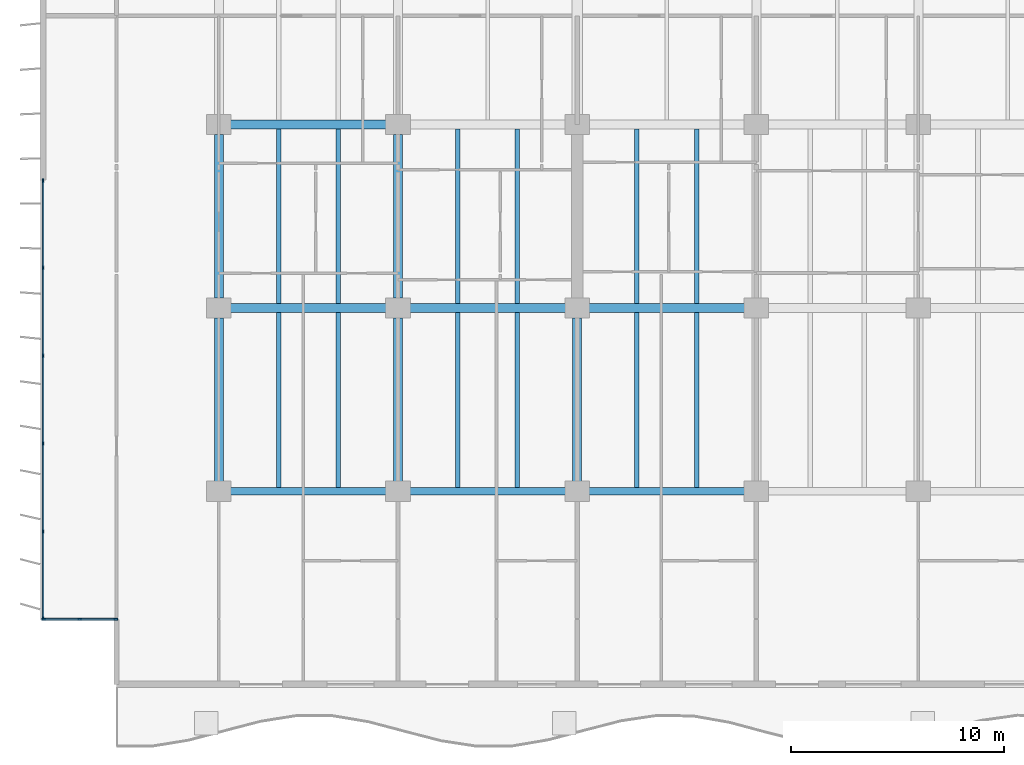
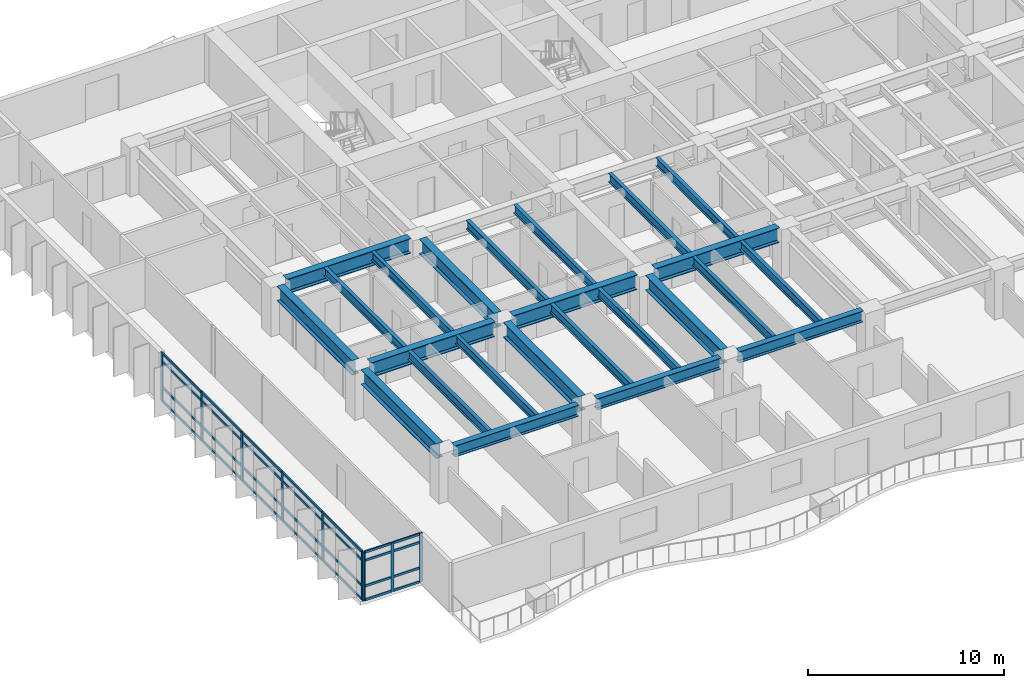
# One storey, part 2 of 18: 37 members, 24 beams, 2 elements without a shape of their own.
"""IFC4 building model written with IfcOpenShell, lengths in metres."""

from ifc_helpers import new_model, si_unit, direction, frame, origin, origin_2d, place, context, subcontext, project, spatial, rectangle, i_section, extrude, material, layer, layer_set, material_profile, profile_set, type_object, element, aggregate, save


model = new_model("IFC4")

# Units and contexts
model_context = context("Model", 3, precision=1e-05, world=origin(), true_north=direction((0.0, 1.0)))
body_context = subcontext(model_context, "Body", "Model", "MODEL_VIEW")
ifc_project = project(units=[si_unit("LENGTHUNIT", "METRE"), si_unit("AREAUNIT", "SQUARE_METRE"), si_unit("VOLUMEUNIT", "CUBIC_METRE"), si_unit("PLANEANGLEUNIT", "RADIAN"), si_unit("MASSUNIT", "GRAM", prefix="KILO")], contexts=[model_context])

# Site, building, storey
site_placement = place(None, origin())
site = spatial("IfcSite", under=ifc_project, at=site_placement, CompositionType="ELEMENT")
building_placement = place(site_placement, origin())
building = spatial("IfcBuilding", under=site, at=building_placement, Name="Caelmar Bay Residences", CompositionType="ELEMENT")
storey_placement = place(building_placement, frame((0.0, 0.0, 36.60009765625)))
storey = spatial("IfcBuildingStorey", under=building, at=storey_placement, Name="L08", CompositionType="ELEMENT", Elevation=36.60009765625)

# Beams
ifc_material_1 = material(Name="Steel ASTM A992 Grade 50", Category="steel")
ifc_material_profile_1 = material_profile(ifc_material_1, i_section(OverallWidth=0.422119140625, OverallDepth=0.925048828125, WebThickness=0.021240234375, FlangeThickness=0.03662109375, FilletRadius=0.020263671875, at=origin_2d()), Name="W36X262")
ifc_profile_set_1 = profile_set([ifc_material_profile_1], Name="Steel ASTM A992 Grade 50")
beam_type_1 = type_object("IfcBeamType", Name="BM-GRD-W36X262", PredefinedType="BEAM", material=ifc_profile_set_1)
beam_1_placement = place(storey_placement, frame((10.43994140625, 20.800048828125, 2.58740234375), z_axis=(1.0, 0.0, 0.0), x_axis=(0.0, 1.0, 0.0)))
element("IfcBeam", 1, at=beam_1_placement, inside=storey, type_object=beam_type_1, Name="L08 East-West Girder Y=20.80 (9.9-18.3)", PredefinedType="BEAM", context=body_context, shape_type="SweptSolid", body=[
    extrude(i_section(OverallWidth=0.422119140625, OverallDepth=0.925048828125, WebThickness=0.021240234375, FlangeThickness=0.03662109375, FilletRadius=0.020263671875, at=origin_2d()), origin(), (0.0, 0.0, 1.0), 7.320068359375),
])
beam_2_placement = place(storey_placement, frame((18.840087890625, 20.800048828125, 2.58740234375), z_axis=(1.0, 0.0, 0.0), x_axis=(0.0, 1.0, 0.0)))
element("IfcBeam", 2, at=beam_2_placement, inside=storey, type_object=beam_type_1, Name="L08 East-West Girder Y=20.80 (18.3-26.7)", PredefinedType="BEAM", context=body_context, shape_type="SweptSolid", body=[
    extrude(i_section(OverallWidth=0.422119140625, OverallDepth=0.925048828125, WebThickness=0.021240234375, FlangeThickness=0.03662109375, FilletRadius=0.020263671875, at=origin_2d()), origin(), (0.0, 0.0, 1.0), 7.31982421875),
])
for number, where, z_axis, x_axis, name in (
    (3, (27.239990234375, 20.800048828125, 2.58740234375), (1.0, 0.0, 0.0), (0.0, 1.0, 0.0), "L08 East-West Girder Y=20.80 (26.7-35.1)"),
    (4, (10.43994140625, 29.39990234375, 2.58740234375), (1.0, 0.0, 0.0), (0.0, 1.0, 0.0), "L08 East-West Girder Y=29.40 (9.9-18.3)"),
):
    element("IfcBeam", number, at=place(storey_placement, frame(where, z_axis=z_axis, x_axis=x_axis)), inside=storey, type_object=beam_type_1, Name=name, PredefinedType="BEAM", context=body_context, shape_type="SweptSolid", body=[
        extrude(i_section(OverallWidth=0.422119140625, OverallDepth=0.925048828125, WebThickness=0.021240234375, FlangeThickness=0.03662109375, FilletRadius=0.020263671875, at=origin_2d()), origin(), (0.0, 0.0, 1.0), 7.320068359375),
    ])
beam_3_placement = place(storey_placement, frame((9.89990234375, 12.6650390625, 2.58740234375), z_axis=(0.0, 1.0, 0.0), x_axis=(-1.0, 0.0, 0.0)))
element("IfcBeam", 5, at=beam_3_placement, inside=storey, type_object=beam_type_1, Name="L08 North-South Girder X=9.90 (12.2-20.8)", PredefinedType="BEAM", context=body_context, shape_type="SweptSolid", body=[
    extrude(i_section(OverallWidth=0.422119140625, OverallDepth=0.925048828125, WebThickness=0.021240234375, FlangeThickness=0.03662109375, FilletRadius=0.020263671875, at=origin_2d()), origin(), (0.0, 0.0, 1.0), 7.669921875),
])
beam_4_placement = place(storey_placement, frame((9.89990234375, 21.264892578125, 2.58740234375), z_axis=(0.0, 1.0, 0.0), x_axis=(-1.0, 0.0, 0.0)))
element("IfcBeam", 6, at=beam_4_placement, inside=storey, type_object=beam_type_1, Name="L08 North-South Girder X=9.90 (20.8-29.4)", PredefinedType="BEAM", context=body_context, shape_type="SweptSolid", body=[
    extrude(i_section(OverallWidth=0.422119140625, OverallDepth=0.925048828125, WebThickness=0.021240234375, FlangeThickness=0.03662109375, FilletRadius=0.020263671875, at=origin_2d()), origin(), (0.0, 0.0, 1.0), 7.670166015625),
])
beam_5_placement = place(storey_placement, frame((18.300048828125, 12.6650390625, 2.58740234375), z_axis=(0.0, 1.0, 0.0), x_axis=(-1.0, 0.0, 0.0)))
element("IfcBeam", 7, at=beam_5_placement, inside=storey, type_object=beam_type_1, Name="L08 North-South Girder X=18.30 (12.2-20.8)", PredefinedType="BEAM", context=body_context, shape_type="SweptSolid", body=[
    extrude(i_section(OverallWidth=0.422119140625, OverallDepth=0.925048828125, WebThickness=0.021240234375, FlangeThickness=0.03662109375, FilletRadius=0.020263671875, at=origin_2d()), origin(), (0.0, 0.0, 1.0), 7.669921875),
])
beam_6_placement = place(storey_placement, frame((18.300048828125, 21.264892578125, 2.58740234375), z_axis=(0.0, 1.0, 0.0), x_axis=(-1.0, 0.0, 0.0)))
element("IfcBeam", 8, at=beam_6_placement, inside=storey, type_object=beam_type_1, Name="L08 North-South Girder X=18.30 (20.8-29.4)", PredefinedType="BEAM", context=body_context, shape_type="SweptSolid", body=[
    extrude(i_section(OverallWidth=0.422119140625, OverallDepth=0.925048828125, WebThickness=0.021240234375, FlangeThickness=0.03662109375, FilletRadius=0.020263671875, at=origin_2d()), origin(), (0.0, 0.0, 1.0), 7.670166015625),
])
beam_7_placement = place(storey_placement, frame((26.699951171875, 12.6650390625, 2.58740234375), z_axis=(0.0, 1.0, 0.0), x_axis=(-1.0, 0.0, 0.0)))
element("IfcBeam", 9, at=beam_7_placement, inside=storey, type_object=beam_type_1, Name="L08 North-South Girder X=26.70 (12.2-20.8)", PredefinedType="BEAM", context=body_context, shape_type="SweptSolid", body=[
    extrude(i_section(OverallWidth=0.422119140625, OverallDepth=0.925048828125, WebThickness=0.021240234375, FlangeThickness=0.03662109375, FilletRadius=0.020263671875, at=origin_2d()), origin(), (0.0, 0.0, 1.0), 7.669921875),
])
ifc_material_profile_2 = material_profile(ifc_material_1, i_section(OverallWidth=0.2099609375, OverallDepth=0.535888671875, WebThickness=0.010986328125, FlangeThickness=0.017333984375, FilletRadius=0.0126953125, at=origin_2d()), Name="W21X68")
ifc_profile_set_2 = profile_set([ifc_material_profile_2], Name="Steel ASTM A992 Grade 50")
beam_type_2 = type_object("IfcBeamType", Name="BM-JST-W21X68", PredefinedType="JOIST", material=ifc_profile_set_2)
for number, where, z_axis, x_axis, name in (
    (10, (15.5, 12.3779296875, 2.781982421875), (0.0, 1.0, 0.0), (-1.0, 0.0, 0.0), "L08 Composite Floor Joist 2"),
    (11, (23.89990234375, 12.3779296875, 2.781982421875), (0.0, 1.0, 0.0), (-1.0, 0.0, 0.0), "L08 Composite Floor Joist 4"),
    (12, (32.300048828125, 12.3779296875, 2.781982421875), (0.0, 1.0, 0.0), (-1.0, 0.0, 0.0), "L08 Composite Floor Joist 6"),
):
    element("IfcBeam", number, at=place(storey_placement, frame(where, z_axis=z_axis, x_axis=x_axis)), inside=storey, type_object=beam_type_2, Name=name, PredefinedType="JOIST", context=body_context, shape_type="SweptSolid", body=[
        extrude(i_section(OverallWidth=0.2099609375, OverallDepth=0.535888671875, WebThickness=0.010986328125, FlangeThickness=0.017333984375, FilletRadius=0.0126953125, at=origin_2d()), origin(), (0.0, 0.0, 1.0), 8.211181640625),
    ])
for number, where, z_axis, x_axis, name in (
    (13, (15.5, 21.010986328125, 2.781982421875), (0.0, 1.0, 0.0), (-1.0, 0.0, 0.0), "L08 Composite Floor Joist 16"),
    (14, (23.89990234375, 21.010986328125, 2.781982421875), (0.0, 1.0, 0.0), (-1.0, 0.0, 0.0), "L08 Composite Floor Joist 18"),
    (15, (32.300048828125, 21.010986328125, 2.781982421875), (0.0, 1.0, 0.0), (-1.0, 0.0, 0.0), "L08 Composite Floor Joist 20"),
):
    element("IfcBeam", number, at=place(storey_placement, frame(where, z_axis=z_axis, x_axis=x_axis)), inside=storey, type_object=beam_type_2, Name=name, PredefinedType="JOIST", context=body_context, shape_type="SweptSolid", body=[
        extrude(i_section(OverallWidth=0.2099609375, OverallDepth=0.535888671875, WebThickness=0.010986328125, FlangeThickness=0.017333984375, FilletRadius=0.0126953125, at=origin_2d()), origin(), (0.0, 0.0, 1.0), 8.177978515625),
    ])
ifc_material_profile_3 = material_profile(ifc_material_1, i_section(OverallWidth=0.214111328125, OverallDepth=0.549072265625, WebThickness=0.0146484375, FlangeThickness=0.023681640625, FilletRadius=0.0126953125, at=origin_2d()), Name="W21X93")
ifc_profile_set_3 = profile_set([ifc_material_profile_3], Name="Steel ASTM A992 Grade 50")
beam_type_3 = type_object("IfcBeamType", Name="BM-JST-W21X93", PredefinedType="JOIST", material=ifc_profile_set_3)
for number, where, z_axis, x_axis, name in (
    (16, (12.699951171875, 12.3779296875, 2.775390625), (0.0, 1.0, 0.0), (-1.0, 0.0, 0.0), "L08 Composite Floor Joist 1"),
    (17, (21.10009765625, 12.3779296875, 2.775390625), (0.0, 1.0, 0.0), (-1.0, 0.0, 0.0), "L08 Composite Floor Joist 3"),
    (18, (29.5, 12.3779296875, 2.775390625), (0.0, 1.0, 0.0), (-1.0, 0.0, 0.0), "L08 Composite Floor Joist 5"),
):
    element("IfcBeam", number, at=place(storey_placement, frame(where, z_axis=z_axis, x_axis=x_axis)), inside=storey, type_object=beam_type_3, Name=name, PredefinedType="JOIST", context=body_context, shape_type="SweptSolid", body=[
        extrude(i_section(OverallWidth=0.214111328125, OverallDepth=0.549072265625, WebThickness=0.0146484375, FlangeThickness=0.023681640625, FilletRadius=0.0126953125, at=origin_2d()), origin(), (0.0, 0.0, 1.0), 8.211181640625),
    ])
for number, where, z_axis, x_axis, name in (
    (19, (12.699951171875, 21.010986328125, 2.775390625), (0.0, 1.0, 0.0), (-1.0, 0.0, 0.0), "L08 Composite Floor Joist 15"),
    (20, (21.10009765625, 21.010986328125, 2.775390625), (0.0, 1.0, 0.0), (-1.0, 0.0, 0.0), "L08 Composite Floor Joist 17"),
    (21, (29.5, 21.010986328125, 2.775390625), (0.0, 1.0, 0.0), (-1.0, 0.0, 0.0), "L08 Composite Floor Joist 19"),
):
    element("IfcBeam", number, at=place(storey_placement, frame(where, z_axis=z_axis, x_axis=x_axis)), inside=storey, type_object=beam_type_3, Name=name, PredefinedType="JOIST", context=body_context, shape_type="SweptSolid", body=[
        extrude(i_section(OverallWidth=0.214111328125, OverallDepth=0.549072265625, WebThickness=0.0146484375, FlangeThickness=0.023681640625, FilletRadius=0.0126953125, at=origin_2d()), origin(), (0.0, 0.0, 1.0), 8.177978515625),
    ])
ifc_material_profile_4 = material_profile(ifc_material_1, i_section(OverallWidth=0.35595703125, OverallDepth=0.696044921875, WebThickness=0.015380859375, FlangeThickness=0.02490234375, FilletRadius=0.01513671875, at=origin_2d()), Name="W27X146")
ifc_profile_set_4 = profile_set([ifc_material_profile_4], Name="Steel ASTM A992 Grade 50")
beam_type_4 = type_object("IfcBeamType", Name="BM-SPN-W27X146", PredefinedType="SPANDREL", material=ifc_profile_set_4)
beam_8_placement = place(storey_placement, frame((10.43994140625, 12.199951171875, 2.701904296875), z_axis=(1.0, 0.0, 0.0), x_axis=(0.0, 1.0, 0.0)))
element("IfcBeam", 22, at=beam_8_placement, inside=storey, type_object=beam_type_4, Name="L08 East-West Girder Y=12.20 (9.9-18.3)", PredefinedType="SPANDREL", context=body_context, shape_type="SweptSolid", body=[
    extrude(i_section(OverallWidth=0.35595703125, OverallDepth=0.696044921875, WebThickness=0.015380859375, FlangeThickness=0.02490234375, FilletRadius=0.01513671875, at=origin_2d()), origin(), (0.0, 0.0, 1.0), 7.320068359375),
])
beam_9_placement = place(storey_placement, frame((18.840087890625, 12.199951171875, 2.701904296875), z_axis=(1.0, 0.0, 0.0), x_axis=(0.0, 1.0, 0.0)))
element("IfcBeam", 23, at=beam_9_placement, inside=storey, type_object=beam_type_4, Name="L08 East-West Girder Y=12.20 (18.3-26.7)", PredefinedType="SPANDREL", context=body_context, shape_type="SweptSolid", body=[
    extrude(i_section(OverallWidth=0.35595703125, OverallDepth=0.696044921875, WebThickness=0.015380859375, FlangeThickness=0.02490234375, FilletRadius=0.01513671875, at=origin_2d()), origin(), (0.0, 0.0, 1.0), 7.31982421875),
])
beam_10_placement = place(storey_placement, frame((27.239990234375, 12.199951171875, 2.701904296875), z_axis=(1.0, 0.0, 0.0), x_axis=(0.0, 1.0, 0.0)))
element("IfcBeam", 24, at=beam_10_placement, inside=storey, type_object=beam_type_4, Name="L08 East-West Girder Y=12.20 (26.7-35.1)", PredefinedType="SPANDREL", context=body_context, shape_type="SweptSolid", body=[
    extrude(i_section(OverallWidth=0.35595703125, OverallDepth=0.696044921875, WebThickness=0.015380859375, FlangeThickness=0.02490234375, FilletRadius=0.01513671875, at=origin_2d()), origin(), (0.0, 0.0, 1.0), 7.320068359375),
])

# Curtain wall, members
ifc_material_2 = material(Name="Anodised bronze aluminium 6063-T6 and laminated glass", Category="aluminium")
ifc_layer_1 = layer(ifc_material_2, 0.179931640625)
ifc_layer_set_1 = layer_set([ifc_layer_1], Name="Anodised bronze aluminium 6063-T6 and laminated glass")
curtain_wall_type_1 = type_object("IfcCurtainWallType", Name="CW6-NTC", PredefinedType="NOTDEFINED", material=ifc_layer_set_1)
curtain_wall_1_placement = place(storey_placement, origin())
curtain_wall_1 = element("IfcCurtainWall", 25, at=curtain_wall_1_placement, inside=storey, type_object=curtain_wall_type_1, Name="CW6 curtain wall L08", PredefinedType="NOTDEFINED")
ifc_material_3 = material(Name="Anodised bronze aluminium 6063-T6", Category="aluminium")
ifc_material_profile_5 = material_profile(ifc_material_3, rectangle(XDim=0.080078125, YDim=0.179931640625, at=origin_2d()), Name="CWM-80X180")
ifc_profile_set_5 = profile_set([ifc_material_profile_5], Name="Anodised bronze aluminium 6063-T6")
member_type_1 = type_object("IfcMemberType", Name="CWM-180", PredefinedType="MULLION", material=ifc_profile_set_5)
member_1_placement = place(storey_placement, frame((1.68994140625, 6.199951171875, 0.0), z_axis=(0.0, 0.0, 1.0), x_axis=(0.0, 1.0, 0.0)))
member_1 = element("IfcMember", 26, at=member_1_placement, type_object=member_type_1, Name="CW6 mullion 1", PredefinedType="MULLION", context=body_context, shape_type="SweptSolid", body=[
    extrude(rectangle(XDim=0.080078125, YDim=0.179931640625, at=origin_2d()), origin(), (0.0, 0.0, 1.0), 3.0498046875),
])
member_2_placement = place(storey_placement, frame((3.375, 6.199951171875, 0.0), z_axis=(0.0, 0.0, 1.0), x_axis=(0.0, 1.0, 0.0)))
member_2 = element("IfcMember", 27, at=member_2_placement, type_object=member_type_1, Name="CW6 mullion 2", PredefinedType="MULLION", context=body_context, shape_type="SweptSolid", body=[
    extrude(rectangle(XDim=0.080078125, YDim=0.179931640625, at=origin_2d()), origin(), (0.0, 0.0, 1.0), 3.0498046875),
])
member_3_placement = place(storey_placement, frame((5.06005859375, 6.199951171875, 0.0), z_axis=(0.0, 0.0, 1.0), x_axis=(0.0, 1.0, 0.0)))
member_3 = element("IfcMember", 28, at=member_3_placement, type_object=member_type_1, Name="CW6 mullion 3", PredefinedType="MULLION", context=body_context, shape_type="SweptSolid", body=[
    extrude(rectangle(XDim=0.080078125, YDim=0.179931640625, at=origin_2d()), origin(), (0.0, 0.0, 1.0), 3.0498046875),
])

ifc_layer_2 = layer(ifc_material_2, 0.179931640625)
ifc_layer_set_2 = layer_set([ifc_layer_2], Name="Anodised bronze aluminium 6063-T6 and laminated glass")
curtain_wall_type_2 = type_object("IfcCurtainWallType", Name="CW2-Z1", PredefinedType="NOTDEFINED", material=ifc_layer_set_2)
curtain_wall_2_placement = place(storey_placement, origin())
curtain_wall_2 = element("IfcCurtainWall", 29, at=curtain_wall_2_placement, inside=storey, type_object=curtain_wall_type_2, Name="CW2 curtain wall L08", PredefinedType="NOTDEFINED")
member_4_placement = place(storey_placement, frame((1.64990234375, 6.239990234375, 0.0), z_axis=(0.0, 0.0, 1.0), x_axis=(-1.0, 0.0, 0.0)))
member_4 = element("IfcMember", 30, at=member_4_placement, type_object=member_type_1, Name="CW2 mullion 1", PredefinedType="MULLION", context=body_context, shape_type="SweptSolid", body=[
    extrude(rectangle(XDim=0.080078125, YDim=0.179931640625, at=origin_2d()), origin(), (0.0, 0.0, 1.0), 3.0498046875),
])
member_5_placement = place(storey_placement, frame((1.64990234375, 10.320068359375, 0.0), z_axis=(0.0, 0.0, 1.0), x_axis=(-1.0, 0.0, 0.0)))
member_5 = element("IfcMember", 31, at=member_5_placement, type_object=member_type_1, Name="CW2 mullion 2", PredefinedType="MULLION", context=body_context, shape_type="SweptSolid", body=[
    extrude(rectangle(XDim=0.080078125, YDim=0.179931640625, at=origin_2d()), origin(), (0.0, 0.0, 1.0), 3.0498046875),
])
member_6_placement = place(storey_placement, frame((1.64990234375, 14.43994140625, 0.0), z_axis=(0.0, 0.0, 1.0), x_axis=(-1.0, 0.0, 0.0)))
member_6 = element("IfcMember", 32, at=member_6_placement, type_object=member_type_1, Name="CW2 mullion 3", PredefinedType="MULLION", context=body_context, shape_type="SweptSolid", body=[
    extrude(rectangle(XDim=0.080078125, YDim=0.179931640625, at=origin_2d()), origin(), (0.0, 0.0, 1.0), 3.0498046875),
])
member_7_placement = place(storey_placement, frame((1.64990234375, 18.56005859375, 0.0), z_axis=(0.0, 0.0, 1.0), x_axis=(-1.0, 0.0, 0.0)))
member_7 = element("IfcMember", 33, at=member_7_placement, type_object=member_type_1, Name="CW2 mullion 4", PredefinedType="MULLION", context=body_context, shape_type="SweptSolid", body=[
    extrude(rectangle(XDim=0.080078125, YDim=0.179931640625, at=origin_2d()), origin(), (0.0, 0.0, 1.0), 3.0498046875),
])
member_8_placement = place(storey_placement, frame((1.64990234375, 22.679931640625, 0.0), z_axis=(0.0, 0.0, 1.0), x_axis=(-1.0, 0.0, 0.0)))
member_8 = element("IfcMember", 34, at=member_8_placement, type_object=member_type_1, Name="CW2 mullion 5", PredefinedType="MULLION", context=body_context, shape_type="SweptSolid", body=[
    extrude(rectangle(XDim=0.080078125, YDim=0.179931640625, at=origin_2d()), origin(), (0.0, 0.0, 1.0), 3.0498046875),
])
member_9_placement = place(storey_placement, frame((1.64990234375, 26.760009765625, 0.0), z_axis=(0.0, 0.0, 1.0), x_axis=(-1.0, 0.0, 0.0)))
member_9 = element("IfcMember", 35, at=member_9_placement, type_object=member_type_1, Name="CW2 mullion 6", PredefinedType="MULLION", context=body_context, shape_type="SweptSolid", body=[
    extrude(rectangle(XDim=0.080078125, YDim=0.179931640625, at=origin_2d()), origin(), (0.0, 0.0, 1.0), 3.0498046875),
])

# Member
ifc_material_profile_6 = material_profile(ifc_material_3, rectangle(XDim=0.080078125, YDim=0.139892578125, at=origin_2d()), Name="CWT-80X140")
ifc_profile_set_6 = profile_set([ifc_material_profile_6], Name="Anodised bronze aluminium 6063-T6")
member_type_2 = type_object("IfcMemberType", Name="CWT-140", PredefinedType="NOTDEFINED", material=ifc_profile_set_6)
member_10_placement = place(storey_placement, frame((1.72998046875, 6.199951171875, 0.039794921875), z_axis=(1.0, 0.0, 0.0), x_axis=(0.0, 1.0, 0.0)))
member_10 = element("IfcMember", 36, at=member_10_placement, type_object=member_type_2, Name="CW6 transom 1.1", ObjectType="TRANSOM", PredefinedType="USERDEFINED", context=body_context, shape_type="SweptSolid", body=[
    extrude(rectangle(XDim=0.080078125, YDim=0.139892578125, at=origin_2d()), origin(), (0.0, 0.0, 1.0), 1.60498046875),
])

member_11_placement = place(storey_placement, frame((1.72998046875, 6.199951171875, 0.89990234375), z_axis=(1.0, 0.0, 0.0), x_axis=(0.0, 1.0, 0.0)))
member_11 = element("IfcMember", 37, at=member_11_placement, type_object=member_type_2, Name="CW6 transom 1.2", ObjectType="TRANSOM", PredefinedType="USERDEFINED", context=body_context, shape_type="SweptSolid", body=[
    extrude(rectangle(XDim=0.080078125, YDim=0.139892578125, at=origin_2d()), origin(), (0.0, 0.0, 1.0), 1.60498046875),
])

member_12_placement = place(storey_placement, frame((1.72998046875, 6.199951171875, 2.5), z_axis=(1.0, 0.0, 0.0), x_axis=(0.0, 1.0, 0.0)))
member_12 = element("IfcMember", 38, at=member_12_placement, type_object=member_type_2, Name="CW6 transom 1.3", ObjectType="TRANSOM", PredefinedType="USERDEFINED", context=body_context, shape_type="SweptSolid", body=[
    extrude(rectangle(XDim=0.080078125, YDim=0.139892578125, at=origin_2d()), origin(), (0.0, 0.0, 1.0), 1.60498046875),
])

member_13_placement = place(storey_placement, frame((1.72998046875, 6.199951171875, 3.010009765625), z_axis=(1.0, 0.0, 0.0), x_axis=(0.0, 1.0, 0.0)))
member_13 = element("IfcMember", 39, at=member_13_placement, type_object=member_type_2, Name="CW6 transom 1.4", ObjectType="TRANSOM", PredefinedType="USERDEFINED", context=body_context, shape_type="SweptSolid", body=[
    extrude(rectangle(XDim=0.080078125, YDim=0.139892578125, at=origin_2d()), origin(), (0.0, 0.0, 1.0), 1.60498046875),
])

member_14_placement = place(storey_placement, frame((3.4150390625, 6.199951171875, 0.039794921875), z_axis=(1.0, 0.0, 0.0), x_axis=(0.0, 1.0, 0.0)))
member_14 = element("IfcMember", 40, at=member_14_placement, type_object=member_type_2, Name="CW6 transom 2.1", ObjectType="TRANSOM", PredefinedType="USERDEFINED", context=body_context, shape_type="SweptSolid", body=[
    extrude(rectangle(XDim=0.080078125, YDim=0.139892578125, at=origin_2d()), origin(), (0.0, 0.0, 1.0), 1.60498046875),
])

member_15_placement = place(storey_placement, frame((3.4150390625, 6.199951171875, 0.89990234375), z_axis=(1.0, 0.0, 0.0), x_axis=(0.0, 1.0, 0.0)))
member_15 = element("IfcMember", 41, at=member_15_placement, type_object=member_type_2, Name="CW6 transom 2.2", ObjectType="TRANSOM", PredefinedType="USERDEFINED", context=body_context, shape_type="SweptSolid", body=[
    extrude(rectangle(XDim=0.080078125, YDim=0.139892578125, at=origin_2d()), origin(), (0.0, 0.0, 1.0), 1.60498046875),
])

member_16_placement = place(storey_placement, frame((3.4150390625, 6.199951171875, 2.5), z_axis=(1.0, 0.0, 0.0), x_axis=(0.0, 1.0, 0.0)))
member_16 = element("IfcMember", 42, at=member_16_placement, type_object=member_type_2, Name="CW6 transom 2.3", ObjectType="TRANSOM", PredefinedType="USERDEFINED", context=body_context, shape_type="SweptSolid", body=[
    extrude(rectangle(XDim=0.080078125, YDim=0.139892578125, at=origin_2d()), origin(), (0.0, 0.0, 1.0), 1.60498046875),
])

member_17_placement = place(storey_placement, frame((3.4150390625, 6.199951171875, 3.010009765625), z_axis=(1.0, 0.0, 0.0), x_axis=(0.0, 1.0, 0.0)))
member_17 = element("IfcMember", 43, at=member_17_placement, type_object=member_type_2, Name="CW6 transom 2.4", ObjectType="TRANSOM", PredefinedType="USERDEFINED", context=body_context, shape_type="SweptSolid", body=[
    extrude(rectangle(XDim=0.080078125, YDim=0.139892578125, at=origin_2d()), origin(), (0.0, 0.0, 1.0), 1.60498046875),
])

aggregate(curtain_wall_1, [member_1, member_2, member_3, member_10, member_11, member_12, member_13, member_14, member_15, member_16, member_17])

member_18_placement = place(storey_placement, frame((1.64990234375, 6.280029296875, 0.039794921875), z_axis=(0.0, 1.0, 0.0), x_axis=(-1.0, 0.0, 0.0)))
member_18 = element("IfcMember", 44, at=member_18_placement, type_object=member_type_2, Name="CW2 transom 1.1", ObjectType="TRANSOM", PredefinedType="USERDEFINED", context=body_context, shape_type="SweptSolid", body=[
    extrude(rectangle(XDim=0.080078125, YDim=0.139892578125, at=origin_2d()), origin(), (0.0, 0.0, 1.0), 4.0),
])

member_19_placement = place(storey_placement, frame((1.64990234375, 6.280029296875, 0.89990234375), z_axis=(0.0, 1.0, 0.0), x_axis=(-1.0, 0.0, 0.0)))
member_19 = element("IfcMember", 45, at=member_19_placement, type_object=member_type_2, Name="CW2 transom 1.2", ObjectType="TRANSOM", PredefinedType="USERDEFINED", context=body_context, shape_type="SweptSolid", body=[
    extrude(rectangle(XDim=0.080078125, YDim=0.139892578125, at=origin_2d()), origin(), (0.0, 0.0, 1.0), 4.0),
])

member_20_placement = place(storey_placement, frame((1.64990234375, 6.280029296875, 2.5), z_axis=(0.0, 1.0, 0.0), x_axis=(-1.0, 0.0, 0.0)))
member_20 = element("IfcMember", 46, at=member_20_placement, type_object=member_type_2, Name="CW2 transom 1.3", ObjectType="TRANSOM", PredefinedType="USERDEFINED", context=body_context, shape_type="SweptSolid", body=[
    extrude(rectangle(XDim=0.080078125, YDim=0.139892578125, at=origin_2d()), origin(), (0.0, 0.0, 1.0), 4.0),
])

member_21_placement = place(storey_placement, frame((1.64990234375, 6.280029296875, 3.010009765625), z_axis=(0.0, 1.0, 0.0), x_axis=(-1.0, 0.0, 0.0)))
member_21 = element("IfcMember", 47, at=member_21_placement, type_object=member_type_2, Name="CW2 transom 1.4", ObjectType="TRANSOM", PredefinedType="USERDEFINED", context=body_context, shape_type="SweptSolid", body=[
    extrude(rectangle(XDim=0.080078125, YDim=0.139892578125, at=origin_2d()), origin(), (0.0, 0.0, 1.0), 4.0),
])

member_22_placement = place(storey_placement, frame((1.64990234375, 10.360107421875, 0.039794921875), z_axis=(0.0, 1.0, 0.0), x_axis=(-1.0, 0.0, 0.0)))
member_22 = element("IfcMember", 48, at=member_22_placement, type_object=member_type_2, Name="CW2 transom 2.1", ObjectType="TRANSOM", PredefinedType="USERDEFINED", context=body_context, shape_type="SweptSolid", body=[
    extrude(rectangle(XDim=0.080078125, YDim=0.139892578125, at=origin_2d()), origin(), (0.0, 0.0, 1.0), 4.039794921875),
])

member_23_placement = place(storey_placement, frame((1.64990234375, 10.360107421875, 0.89990234375), z_axis=(0.0, 1.0, 0.0), x_axis=(-1.0, 0.0, 0.0)))
member_23 = element("IfcMember", 49, at=member_23_placement, type_object=member_type_2, Name="CW2 transom 2.2", ObjectType="TRANSOM", PredefinedType="USERDEFINED", context=body_context, shape_type="SweptSolid", body=[
    extrude(rectangle(XDim=0.080078125, YDim=0.139892578125, at=origin_2d()), origin(), (0.0, 0.0, 1.0), 4.039794921875),
])

member_24_placement = place(storey_placement, frame((1.64990234375, 10.360107421875, 2.5), z_axis=(0.0, 1.0, 0.0), x_axis=(-1.0, 0.0, 0.0)))
member_24 = element("IfcMember", 50, at=member_24_placement, type_object=member_type_2, Name="CW2 transom 2.3", ObjectType="TRANSOM", PredefinedType="USERDEFINED", context=body_context, shape_type="SweptSolid", body=[
    extrude(rectangle(XDim=0.080078125, YDim=0.139892578125, at=origin_2d()), origin(), (0.0, 0.0, 1.0), 4.039794921875),
])

member_25_placement = place(storey_placement, frame((1.64990234375, 10.360107421875, 3.010009765625), z_axis=(0.0, 1.0, 0.0), x_axis=(-1.0, 0.0, 0.0)))
member_25 = element("IfcMember", 51, at=member_25_placement, type_object=member_type_2, Name="CW2 transom 2.4", ObjectType="TRANSOM", PredefinedType="USERDEFINED", context=body_context, shape_type="SweptSolid", body=[
    extrude(rectangle(XDim=0.080078125, YDim=0.139892578125, at=origin_2d()), origin(), (0.0, 0.0, 1.0), 4.039794921875),
])

member_26_placement = place(storey_placement, frame((1.64990234375, 14.47998046875, 0.039794921875), z_axis=(0.0, 1.0, 0.0), x_axis=(-1.0, 0.0, 0.0)))
member_26 = element("IfcMember", 52, at=member_26_placement, type_object=member_type_2, Name="CW2 transom 3.1", ObjectType="TRANSOM", PredefinedType="USERDEFINED", context=body_context, shape_type="SweptSolid", body=[
    extrude(rectangle(XDim=0.080078125, YDim=0.139892578125, at=origin_2d()), origin(), (0.0, 0.0, 1.0), 4.0400390625),
])

member_27_placement = place(storey_placement, frame((1.64990234375, 14.47998046875, 0.89990234375), z_axis=(0.0, 1.0, 0.0), x_axis=(-1.0, 0.0, 0.0)))
member_27 = element("IfcMember", 53, at=member_27_placement, type_object=member_type_2, Name="CW2 transom 3.2", ObjectType="TRANSOM", PredefinedType="USERDEFINED", context=body_context, shape_type="SweptSolid", body=[
    extrude(rectangle(XDim=0.080078125, YDim=0.139892578125, at=origin_2d()), origin(), (0.0, 0.0, 1.0), 4.0400390625),
])

member_28_placement = place(storey_placement, frame((1.64990234375, 14.47998046875, 2.5), z_axis=(0.0, 1.0, 0.0), x_axis=(-1.0, 0.0, 0.0)))
member_28 = element("IfcMember", 54, at=member_28_placement, type_object=member_type_2, Name="CW2 transom 3.3", ObjectType="TRANSOM", PredefinedType="USERDEFINED", context=body_context, shape_type="SweptSolid", body=[
    extrude(rectangle(XDim=0.080078125, YDim=0.139892578125, at=origin_2d()), origin(), (0.0, 0.0, 1.0), 4.0400390625),
])

member_29_placement = place(storey_placement, frame((1.64990234375, 14.47998046875, 3.010009765625), z_axis=(0.0, 1.0, 0.0), x_axis=(-1.0, 0.0, 0.0)))
member_29 = element("IfcMember", 55, at=member_29_placement, type_object=member_type_2, Name="CW2 transom 3.4", ObjectType="TRANSOM", PredefinedType="USERDEFINED", context=body_context, shape_type="SweptSolid", body=[
    extrude(rectangle(XDim=0.080078125, YDim=0.139892578125, at=origin_2d()), origin(), (0.0, 0.0, 1.0), 4.0400390625),
])

member_30_placement = place(storey_placement, frame((1.64990234375, 18.60009765625, 0.039794921875), z_axis=(0.0, 1.0, 0.0), x_axis=(-1.0, 0.0, 0.0)))
member_30 = element("IfcMember", 56, at=member_30_placement, type_object=member_type_2, Name="CW2 transom 4.1", ObjectType="TRANSOM", PredefinedType="USERDEFINED", context=body_context, shape_type="SweptSolid", body=[
    extrude(rectangle(XDim=0.080078125, YDim=0.139892578125, at=origin_2d()), origin(), (0.0, 0.0, 1.0), 4.039794921875),
])

member_31_placement = place(storey_placement, frame((1.64990234375, 18.60009765625, 0.89990234375), z_axis=(0.0, 1.0, 0.0), x_axis=(-1.0, 0.0, 0.0)))
member_31 = element("IfcMember", 57, at=member_31_placement, type_object=member_type_2, Name="CW2 transom 4.2", ObjectType="TRANSOM", PredefinedType="USERDEFINED", context=body_context, shape_type="SweptSolid", body=[
    extrude(rectangle(XDim=0.080078125, YDim=0.139892578125, at=origin_2d()), origin(), (0.0, 0.0, 1.0), 4.039794921875),
])

member_32_placement = place(storey_placement, frame((1.64990234375, 18.60009765625, 2.5), z_axis=(0.0, 1.0, 0.0), x_axis=(-1.0, 0.0, 0.0)))
member_32 = element("IfcMember", 58, at=member_32_placement, type_object=member_type_2, Name="CW2 transom 4.3", ObjectType="TRANSOM", PredefinedType="USERDEFINED", context=body_context, shape_type="SweptSolid", body=[
    extrude(rectangle(XDim=0.080078125, YDim=0.139892578125, at=origin_2d()), origin(), (0.0, 0.0, 1.0), 4.039794921875),
])

member_33_placement = place(storey_placement, frame((1.64990234375, 18.60009765625, 3.010009765625), z_axis=(0.0, 1.0, 0.0), x_axis=(-1.0, 0.0, 0.0)))
member_33 = element("IfcMember", 59, at=member_33_placement, type_object=member_type_2, Name="CW2 transom 4.4", ObjectType="TRANSOM", PredefinedType="USERDEFINED", context=body_context, shape_type="SweptSolid", body=[
    extrude(rectangle(XDim=0.080078125, YDim=0.139892578125, at=origin_2d()), origin(), (0.0, 0.0, 1.0), 4.039794921875),
])

member_34_placement = place(storey_placement, frame((1.64990234375, 22.719970703125, 0.039794921875), z_axis=(0.0, 1.0, 0.0), x_axis=(-1.0, 0.0, 0.0)))
member_34 = element("IfcMember", 60, at=member_34_placement, type_object=member_type_2, Name="CW2 transom 5.1", ObjectType="TRANSOM", PredefinedType="USERDEFINED", context=body_context, shape_type="SweptSolid", body=[
    extrude(rectangle(XDim=0.080078125, YDim=0.139892578125, at=origin_2d()), origin(), (0.0, 0.0, 1.0), 4.0),
])

member_35_placement = place(storey_placement, frame((1.64990234375, 22.719970703125, 0.89990234375), z_axis=(0.0, 1.0, 0.0), x_axis=(-1.0, 0.0, 0.0)))
member_35 = element("IfcMember", 61, at=member_35_placement, type_object=member_type_2, Name="CW2 transom 5.2", ObjectType="TRANSOM", PredefinedType="USERDEFINED", context=body_context, shape_type="SweptSolid", body=[
    extrude(rectangle(XDim=0.080078125, YDim=0.139892578125, at=origin_2d()), origin(), (0.0, 0.0, 1.0), 4.0),
])

member_36_placement = place(storey_placement, frame((1.64990234375, 22.719970703125, 2.5), z_axis=(0.0, 1.0, 0.0), x_axis=(-1.0, 0.0, 0.0)))
member_36 = element("IfcMember", 62, at=member_36_placement, type_object=member_type_2, Name="CW2 transom 5.3", ObjectType="TRANSOM", PredefinedType="USERDEFINED", context=body_context, shape_type="SweptSolid", body=[
    extrude(rectangle(XDim=0.080078125, YDim=0.139892578125, at=origin_2d()), origin(), (0.0, 0.0, 1.0), 4.0),
])

member_37_placement = place(storey_placement, frame((1.64990234375, 22.719970703125, 3.010009765625), z_axis=(0.0, 1.0, 0.0), x_axis=(-1.0, 0.0, 0.0)))
member_37 = element("IfcMember", 63, at=member_37_placement, type_object=member_type_2, Name="CW2 transom 5.4", ObjectType="TRANSOM", PredefinedType="USERDEFINED", context=body_context, shape_type="SweptSolid", body=[
    extrude(rectangle(XDim=0.080078125, YDim=0.139892578125, at=origin_2d()), origin(), (0.0, 0.0, 1.0), 4.0),
])

aggregate(curtain_wall_2, [member_4, member_5, member_6, member_7, member_8, member_9, member_18, member_19, member_20, member_21, member_22, member_23, member_24, member_25, member_26, member_27, member_28, member_29, member_30, member_31, member_32, member_33, member_34, member_35, member_36, member_37])

save(model, "model.ifc")
